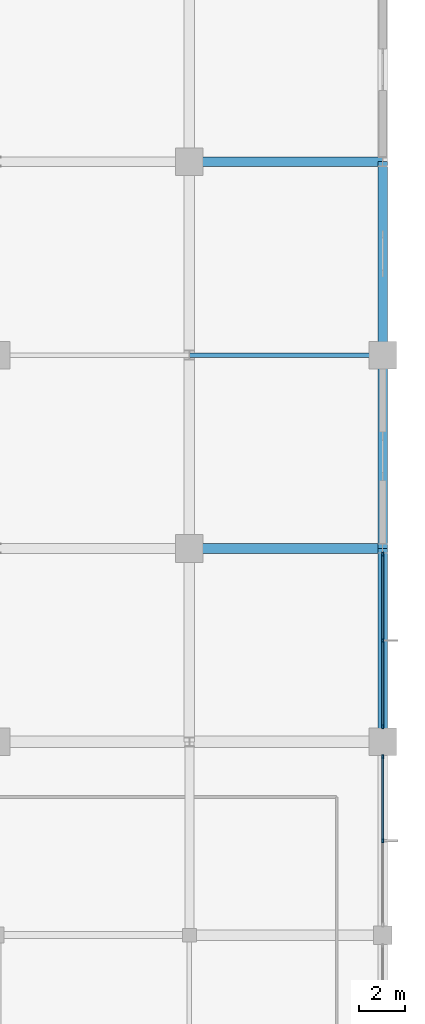
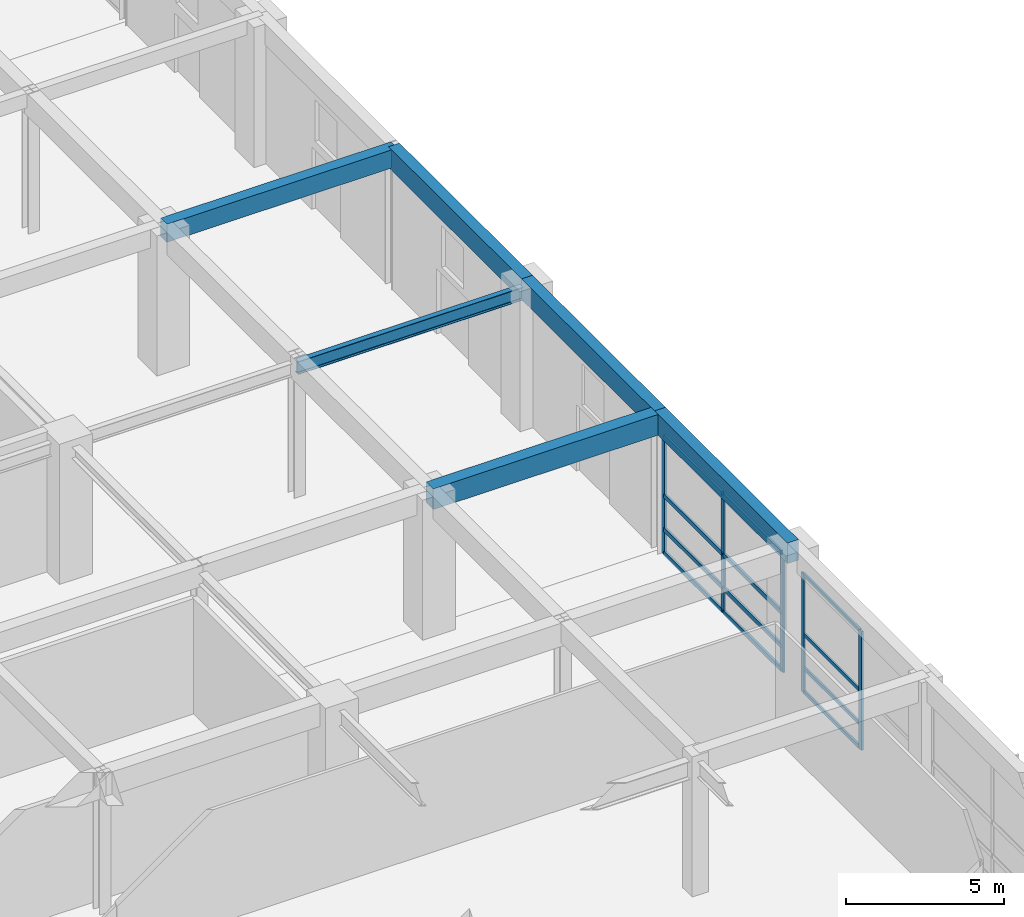
# One storey, part 31 of 62: 17 members, 6 beams, 2 elements without a shape of their own.
"""IFC4 building model written with IfcOpenShell, lengths in metres."""

from ifc_helpers import new_model, si_unit, direction, frame, origin, origin_2d, place, context, subcontext, project, spatial, rectangle, i_section, extrude, material, material_profile, profile_set, type_object, element, aggregate, save


model = new_model("IFC4")

# Units and contexts
model_context = context("Model", 3, precision=1e-05, world=origin(), true_north=direction((0.0, 1.0)))
body_context = subcontext(model_context, "Body", "Model", "MODEL_VIEW")
ifc_project = project(units=[si_unit("LENGTHUNIT", "METRE"), si_unit("AREAUNIT", "SQUARE_METRE"), si_unit("VOLUMEUNIT", "CUBIC_METRE"), si_unit("PLANEANGLEUNIT", "RADIAN"), si_unit("MASSUNIT", "GRAM", prefix="KILO")], contexts=[model_context])

# Site, building, storey
site_placement = place(None, origin())
site = spatial("IfcSite", under=ifc_project, at=site_placement, CompositionType="ELEMENT")
building_placement = place(site_placement, origin())
building = spatial("IfcBuilding", under=site, at=building_placement, Name="Xuanlan Plaza Opera House", CompositionType="ELEMENT")
storey_placement = place(building_placement, origin())
storey = spatial("IfcBuildingStorey", under=building, at=storey_placement, Name="L00", CompositionType="ELEMENT", Elevation=0.0)

# Curtain wall, members
ifc_material_1 = material(Name="Anodised Aluminium 6063-T6 and Low-E Glass", Category="aluminium")
curtain_wall_type_1 = type_object("IfcCurtainWallType", Name="ENV-CW-CW-02", PredefinedType="USERDEFINED", material=ifc_material_1)
curtain_wall_1_placement = place(storey_placement, origin())
curtain_wall_1 = element("IfcCurtainWall", 1, at=curtain_wall_1_placement, inside=storey, type_object=curtain_wall_type_1, Name="Unitised Curtain Wall L00-020", ObjectType="UNITISED CURTAIN WALL", PredefinedType="USERDEFINED")
ifc_material_2 = material(Name="Anodised Aluminium 6063-T6", Category="aluminium")
ifc_material_profile_1 = material_profile(ifc_material_2, rectangle(XDim=0.070068359375, YDim=0.179931640625, at=origin_2d()), Name="ALU-M 70x180")
ifc_profile_set_1 = profile_set([ifc_material_profile_1], Name="Anodised Aluminium 6063-T6")
member_type_1 = type_object("IfcMemberType", Name="ENV-CWM-02", PredefinedType="MULLION", material=ifc_profile_set_1)
member_1_placement = place(storey_placement, frame((168.0, 29.300048828125, 0.0), z_axis=(0.0, 0.0, 1.0), x_axis=(-1.0, 0.0, 0.0)))
member_1 = element("IfcMember", 2, at=member_1_placement, type_object=member_type_1, Name="CW-02 mullion 2", PredefinedType="MULLION", context=body_context, shape_type="SweptSolid", body=[
    extrude(rectangle(XDim=0.070068359375, YDim=0.179931640625, at=origin_2d()), origin(), (0.0, 0.0, 1.0), 4.580078125),
])
member_2_placement = place(storey_placement, frame((168.0, 32.945068359375, 0.0), z_axis=(0.0, 0.0, 1.0), x_axis=(-1.0, 0.0, 0.0)))
member_2 = element("IfcMember", 3, at=member_2_placement, type_object=member_type_1, Name="CW-02 mullion 3", PredefinedType="MULLION", context=body_context, shape_type="SweptSolid", body=[
    extrude(rectangle(XDim=0.070068359375, YDim=0.179931640625, at=origin_2d()), origin(), (0.0, 0.0, 1.0), 4.580078125),
])

curtain_wall_type_2 = type_object("IfcCurtainWallType", Name="ENV-CW-CW-03", PredefinedType="USERDEFINED", material=ifc_material_1)
curtain_wall_2_placement = place(storey_placement, origin())
curtain_wall_2 = element("IfcCurtainWall", 4, at=curtain_wall_2_placement, inside=storey, type_object=curtain_wall_type_2, Name="Unitised Curtain Wall L00-021", ObjectType="UNITISED CURTAIN WALL", PredefinedType="USERDEFINED")
ifc_material_profile_2 = material_profile(ifc_material_2, rectangle(XDim=0.074951171875, YDim=0.199951171875, at=origin_2d()), Name="ALU-M 75x200")
ifc_profile_set_2 = profile_set([ifc_material_profile_2], Name="Anodised Aluminium 6063-T6")
member_type_2 = type_object("IfcMemberType", Name="ENV-CWM-03", PredefinedType="MULLION", material=ifc_profile_set_2)
member_3_placement = place(storey_placement, frame((168.0, 34.257568359375, 0.0), z_axis=(0.0, 0.0, 1.0), x_axis=(-1.0, 0.0, 0.0)))
member_3 = element("IfcMember", 5, at=member_3_placement, type_object=member_type_2, Name="CW-03 mullion 1", PredefinedType="MULLION", context=body_context, shape_type="SweptSolid", body=[
    extrude(rectangle(XDim=0.074951171875, YDim=0.199951171875, at=origin_2d()), origin(), (0.0, 0.0, 1.0), 4.580078125),
])
member_4_placement = place(storey_placement, frame((168.0, 37.99658203125, 0.0), z_axis=(0.0, 0.0, 1.0), x_axis=(-1.0, 0.0, 0.0)))
member_4 = element("IfcMember", 6, at=member_4_placement, type_object=member_type_2, Name="CW-03 mullion 2", PredefinedType="MULLION", context=body_context, shape_type="SweptSolid", body=[
    extrude(rectangle(XDim=0.074951171875, YDim=0.199951171875, at=origin_2d()), origin(), (0.0, 0.0, 1.0), 4.580078125),
])
member_5_placement = place(storey_placement, frame((168.0, 41.735595703125, 0.0), z_axis=(0.0, 0.0, 1.0), x_axis=(-1.0, 0.0, 0.0)))
member_5 = element("IfcMember", 7, at=member_5_placement, type_object=member_type_2, Name="CW-03 mullion 3", PredefinedType="MULLION", context=body_context, shape_type="SweptSolid", body=[
    extrude(rectangle(XDim=0.074951171875, YDim=0.199951171875, at=origin_2d()), origin(), (0.0, 0.0, 1.0), 4.580078125),
])

# Member
ifc_material_profile_3 = material_profile(ifc_material_2, rectangle(XDim=0.070068359375, YDim=0.135009765625, at=origin_2d()), Name="ALU-T 70x135")
ifc_profile_set_3 = profile_set([ifc_material_profile_3], Name="Anodised Aluminium 6063-T6")
member_type_3 = type_object("IfcMemberType", Name="ENV-CWT-02", PredefinedType="USERDEFINED", material=ifc_profile_set_3)
member_6_placement = place(storey_placement, frame((168.0, 29.3349609375, 0.034912109375), z_axis=(0.0, 1.0, 0.0), x_axis=(-1.0, 0.0, 0.0)))
member_6 = element("IfcMember", 8, at=member_6_placement, type_object=member_type_3, Name="CW-02 transom 2.1", ObjectType="TRANSOM", PredefinedType="USERDEFINED", context=body_context, shape_type="SweptSolid", body=[
    extrude(rectangle(XDim=0.070068359375, YDim=0.135009765625, at=origin_2d()), origin(), (0.0, 0.0, 1.0), 3.574951171875),
])

member_7_placement = place(storey_placement, frame((168.0, 29.3349609375, 0.949951171875), z_axis=(0.0, 1.0, 0.0), x_axis=(-1.0, 0.0, 0.0)))
member_7 = element("IfcMember", 9, at=member_7_placement, type_object=member_type_3, Name="CW-02 transom 2.2", ObjectType="TRANSOM", PredefinedType="USERDEFINED", context=body_context, shape_type="SweptSolid", body=[
    extrude(rectangle(XDim=0.070068359375, YDim=0.135009765625, at=origin_2d()), origin(), (0.0, 0.0, 1.0), 3.574951171875),
])

member_8_placement = place(storey_placement, frame((168.0, 29.3349609375, 2.25), z_axis=(0.0, 1.0, 0.0), x_axis=(-1.0, 0.0, 0.0)))
member_8 = element("IfcMember", 10, at=member_8_placement, type_object=member_type_3, Name="CW-02 transom 2.3", ObjectType="TRANSOM", PredefinedType="USERDEFINED", context=body_context, shape_type="SweptSolid", body=[
    extrude(rectangle(XDim=0.070068359375, YDim=0.135009765625, at=origin_2d()), origin(), (0.0, 0.0, 1.0), 3.574951171875),
])

member_9_placement = place(storey_placement, frame((168.0, 29.3349609375, 4.544921875), z_axis=(0.0, 1.0, 0.0), x_axis=(-1.0, 0.0, 0.0)))
member_9 = element("IfcMember", 11, at=member_9_placement, type_object=member_type_3, Name="CW-02 transom 2.4", ObjectType="TRANSOM", PredefinedType="USERDEFINED", context=body_context, shape_type="SweptSolid", body=[
    extrude(rectangle(XDim=0.070068359375, YDim=0.135009765625, at=origin_2d()), origin(), (0.0, 0.0, 1.0), 3.574951171875),
])

aggregate(curtain_wall_1, [member_1, member_2, member_6, member_7, member_8, member_9])

ifc_material_profile_4 = material_profile(ifc_material_2, rectangle(XDim=0.080078125, YDim=0.1650390625, at=origin_2d()), Name="ALU-T 80x165")
ifc_profile_set_4 = profile_set([ifc_material_profile_4], Name="Anodised Aluminium 6063-T6")
member_type_4 = type_object("IfcMemberType", Name="ENV-CWT-04", PredefinedType="USERDEFINED", material=ifc_profile_set_4)
member_10_placement = place(storey_placement, frame((168.0, 34.294921875, 0.0400390625), z_axis=(0.0, 1.0, 0.0), x_axis=(-1.0, 0.0, 0.0)))
member_10 = element("IfcMember", 12, at=member_10_placement, type_object=member_type_4, Name="CW-03 transom 1.1", ObjectType="TRANSOM", PredefinedType="USERDEFINED", context=body_context, shape_type="SweptSolid", body=[
    extrude(rectangle(XDim=0.080078125, YDim=0.1650390625, at=origin_2d()), origin(), (0.0, 0.0, 1.0), 3.6640625),
])

member_11_placement = place(storey_placement, frame((168.0, 34.294921875, 0.949951171875), z_axis=(0.0, 1.0, 0.0), x_axis=(-1.0, 0.0, 0.0)))
member_11 = element("IfcMember", 13, at=member_11_placement, type_object=member_type_4, Name="CW-03 transom 1.2", ObjectType="TRANSOM", PredefinedType="USERDEFINED", context=body_context, shape_type="SweptSolid", body=[
    extrude(rectangle(XDim=0.080078125, YDim=0.1650390625, at=origin_2d()), origin(), (0.0, 0.0, 1.0), 3.6640625),
])

member_12_placement = place(storey_placement, frame((168.0, 34.294921875, 2.25), z_axis=(0.0, 1.0, 0.0), x_axis=(-1.0, 0.0, 0.0)))
member_12 = element("IfcMember", 14, at=member_12_placement, type_object=member_type_4, Name="CW-03 transom 1.3", ObjectType="TRANSOM", PredefinedType="USERDEFINED", context=body_context, shape_type="SweptSolid", body=[
    extrude(rectangle(XDim=0.080078125, YDim=0.1650390625, at=origin_2d()), origin(), (0.0, 0.0, 1.0), 3.6640625),
])

member_13_placement = place(storey_placement, frame((168.0, 34.294921875, 4.5400390625), z_axis=(0.0, 1.0, 0.0), x_axis=(-1.0, 0.0, 0.0)))
member_13 = element("IfcMember", 15, at=member_13_placement, type_object=member_type_4, Name="CW-03 transom 1.4", ObjectType="TRANSOM", PredefinedType="USERDEFINED", context=body_context, shape_type="SweptSolid", body=[
    extrude(rectangle(XDim=0.080078125, YDim=0.1650390625, at=origin_2d()), origin(), (0.0, 0.0, 1.0), 3.6640625),
])

member_14_placement = place(storey_placement, frame((168.0, 38.033935546875, 0.0400390625), z_axis=(0.0, 1.0, 0.0), x_axis=(-1.0, 0.0, 0.0)))
member_14 = element("IfcMember", 16, at=member_14_placement, type_object=member_type_4, Name="CW-03 transom 2.1", ObjectType="TRANSOM", PredefinedType="USERDEFINED", context=body_context, shape_type="SweptSolid", body=[
    extrude(rectangle(XDim=0.080078125, YDim=0.1650390625, at=origin_2d()), origin(), (0.0, 0.0, 1.0), 3.6640625),
])

member_15_placement = place(storey_placement, frame((168.0, 38.033935546875, 0.949951171875), z_axis=(0.0, 1.0, 0.0), x_axis=(-1.0, 0.0, 0.0)))
member_15 = element("IfcMember", 17, at=member_15_placement, type_object=member_type_4, Name="CW-03 transom 2.2", ObjectType="TRANSOM", PredefinedType="USERDEFINED", context=body_context, shape_type="SweptSolid", body=[
    extrude(rectangle(XDim=0.080078125, YDim=0.1650390625, at=origin_2d()), origin(), (0.0, 0.0, 1.0), 3.6640625),
])

member_16_placement = place(storey_placement, frame((168.0, 38.033935546875, 2.25), z_axis=(0.0, 1.0, 0.0), x_axis=(-1.0, 0.0, 0.0)))
member_16 = element("IfcMember", 18, at=member_16_placement, type_object=member_type_4, Name="CW-03 transom 2.3", ObjectType="TRANSOM", PredefinedType="USERDEFINED", context=body_context, shape_type="SweptSolid", body=[
    extrude(rectangle(XDim=0.080078125, YDim=0.1650390625, at=origin_2d()), origin(), (0.0, 0.0, 1.0), 3.6640625),
])

member_17_placement = place(storey_placement, frame((168.0, 38.033935546875, 4.5400390625), z_axis=(0.0, 1.0, 0.0), x_axis=(-1.0, 0.0, 0.0)))
member_17 = element("IfcMember", 19, at=member_17_placement, type_object=member_type_4, Name="CW-03 transom 2.4", ObjectType="TRANSOM", PredefinedType="USERDEFINED", context=body_context, shape_type="SweptSolid", body=[
    extrude(rectangle(XDim=0.080078125, YDim=0.1650390625, at=origin_2d()), origin(), (0.0, 0.0, 1.0), 3.6640625),
])

aggregate(curtain_wall_2, [member_3, member_4, member_5, member_10, member_11, member_12, member_13, member_14, member_15, member_16, member_17])

# Beams
ifc_material_3 = material(Name="Concrete C40", Category="concrete")
ifc_material_profile_5 = material_profile(ifc_material_3, rectangle(XDim=0.449951171875, YDim=0.800048828125, at=origin_2d()), Name="RC-BM 450x800")
ifc_profile_set_5 = profile_set([ifc_material_profile_5], Name="Concrete C40")
beam_type_1 = type_object("IfcBeamType", Name="STR-BM-B-05", PredefinedType="BEAM", material=ifc_profile_set_5)
beam_1_placement = place(storey_placement, frame((159.60009765625, 42.0, 5.0), z_axis=(1.0, 0.0, 0.0), x_axis=(0.0, 1.0, 0.0)))
element("IfcBeam", 20, at=beam_1_placement, inside=storey, type_object=beam_type_1, Name="Grid Beam X L00 20-21/F", PredefinedType="BEAM", context=body_context, shape_type="SweptSolid", body=[
    extrude(rectangle(XDim=0.449951171875, YDim=0.800048828125, at=origin_2d()), origin(), (0.0, 0.0, 1.0), 8.39990234375),
])
ifc_material_profile_6 = material_profile(ifc_material_3, rectangle(XDim=0.39990234375, YDim=0.699951171875, at=origin_2d()), Name="RC-BM 400x700")
ifc_profile_set_6 = profile_set([ifc_material_profile_6], Name="Concrete C40")
beam_type_2 = type_object("IfcBeamType", Name="STR-BM-B-07", PredefinedType="BEAM", material=ifc_profile_set_6)
beam_2_placement = place(storey_placement, frame((159.60009765625, 58.800048828125, 5.050048828125), z_axis=(1.0, 0.0, 0.0), x_axis=(0.0, 1.0, 0.0)))
element("IfcBeam", 21, at=beam_2_placement, inside=storey, type_object=beam_type_2, Name="Grid Beam X L00 20-21/H", PredefinedType="BEAM", context=body_context, shape_type="SweptSolid", body=[
    extrude(rectangle(XDim=0.39990234375, YDim=0.699951171875, at=origin_2d()), origin(), (0.0, 0.0, 1.0), 8.39990234375),
])
ifc_material_4 = material(Name="Steel Q355B", Category="steel")
ifc_material_profile_7 = material_profile(ifc_material_4, i_section(OverallWidth=0.199951171875, OverallDepth=0.5, WebThickness=0.010009765625, FlangeThickness=0.01611328125, FilletRadius=0.02001953125, at=origin_2d()), Name="HN 500x200x10x16")
ifc_profile_set_7 = profile_set([ifc_material_profile_7], Name="Steel Q355B")
beam_type_3 = type_object("IfcBeamType", Name="STR-BM-SB-05", PredefinedType="BEAM", material=ifc_profile_set_7)
beam_3_placement = place(storey_placement, frame((159.60009765625, 50.39990234375, 4.885009765625), z_axis=(1.0, 0.0, 0.0), x_axis=(0.0, 1.0, 0.0)))
element("IfcBeam", 22, at=beam_3_placement, inside=storey, type_object=beam_type_3, Name="Grid Beam X L00 20-21/G", PredefinedType="BEAM", context=body_context, shape_type="SweptSolid", body=[
    extrude(i_section(OverallWidth=0.199951171875, OverallDepth=0.5, WebThickness=0.010009765625, FlangeThickness=0.01611328125, FilletRadius=0.02001953125, at=origin_2d()), origin(), (0.0, 0.0, 1.0), 8.39990234375),
])
ifc_material_profile_8 = material_profile(ifc_material_3, rectangle(XDim=0.39990234375, YDim=0.800048828125, at=origin_2d()), Name="RC-SPD 400x800")
ifc_profile_set_8 = profile_set([ifc_material_profile_8], Name="Concrete C40")
beam_type_4 = type_object("IfcBeamType", Name="STR-BM-SP-01", PredefinedType="SPANDREL", material=ifc_profile_set_8)
for number, where, z_axis, x_axis, name in (
    (23, (168.0, 33.60009765625, 5.0), (0.0, 1.0, 0.0), (-1.0, 0.0, 0.0), "Grid Beam Y L00 21/E-F"),
    (24, (168.0, 42.0, 5.0), (0.0, 1.0, 0.0), (-1.0, 0.0, 0.0), "Grid Beam Y L00 21/F-G"),
):
    element("IfcBeam", number, at=place(storey_placement, frame(where, z_axis=z_axis, x_axis=x_axis)), inside=storey, type_object=beam_type_4, Name=name, PredefinedType="SPANDREL", context=body_context, shape_type="SweptSolid", body=[
        extrude(rectangle(XDim=0.39990234375, YDim=0.800048828125, at=origin_2d()), origin(), (0.0, 0.0, 1.0), 8.39990234375),
    ])
beam_4_placement = place(storey_placement, frame((168.0, 50.39990234375, 5.0), z_axis=(0.0, 1.0, 0.0), x_axis=(-1.0, 0.0, 0.0)))
element("IfcBeam", 25, at=beam_4_placement, inside=storey, type_object=beam_type_4, Name="Grid Beam Y L00 21/G-H", PredefinedType="SPANDREL", context=body_context, shape_type="SweptSolid", body=[
    extrude(rectangle(XDim=0.39990234375, YDim=0.800048828125, at=origin_2d()), origin(), (0.0, 0.0, 1.0), 8.400146484375),
])

save(model, "model.ifc")
